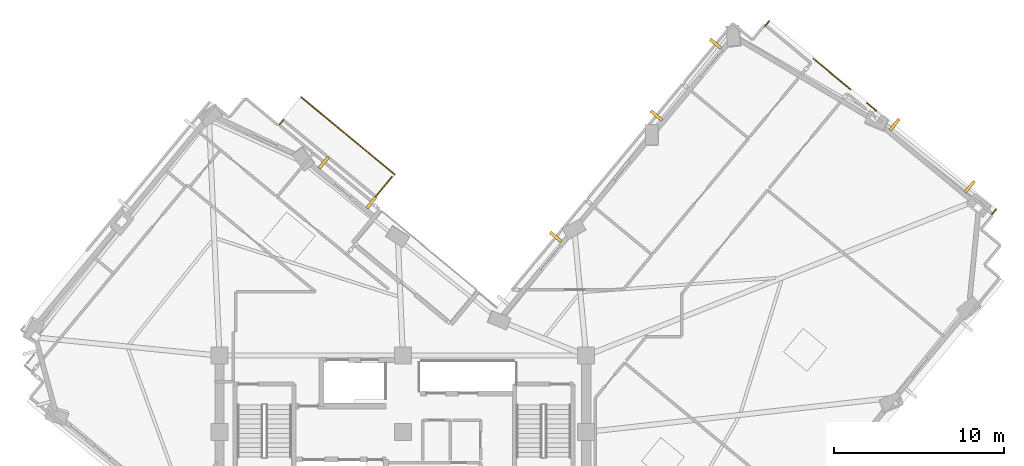
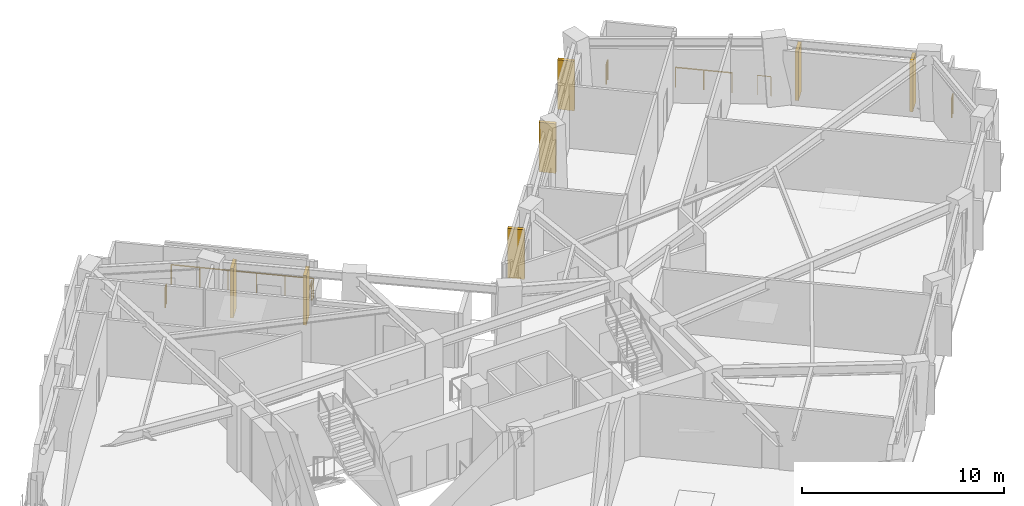
# One storey, part 10 of 10: 7 railings, 7 shading devices.
"""IFC4 building model written with IfcOpenShell, lengths in metres."""

from ifc_helpers import new_model, si_unit, direction, frame, origin, origin_2d, place, context, subcontext, project, spatial, rectangle, circle, extrude, material, layer, layer_set, type_object, element, save


model = new_model("IFC4")

# Units and contexts
model_context = context("Model", 3, precision=1e-05, world=origin(), true_north=direction((0.0, 1.0)))
body_context = subcontext(model_context, "Body", "Model", "MODEL_VIEW")
ifc_project = project(units=[si_unit("LENGTHUNIT", "METRE"), si_unit("AREAUNIT", "SQUARE_METRE"), si_unit("VOLUMEUNIT", "CUBIC_METRE"), si_unit("PLANEANGLEUNIT", "RADIAN"), si_unit("MASSUNIT", "GRAM", prefix="KILO")], contexts=[model_context])

# Site, building, storey
site_placement = place(None, origin())
site = spatial("IfcSite", under=ifc_project, at=site_placement, CompositionType="ELEMENT")
building_placement = place(site_placement, origin())
building = spatial("IfcBuilding", under=site, at=building_placement, Name="Gaonmaruhae Medical Tower", CompositionType="ELEMENT")
storey_placement = place(building_placement, frame((0.0, 0.0, 239.199951171875)))
storey = spatial("IfcBuildingStorey", under=building, at=storey_placement, Name="L57", CompositionType="ELEMENT", Elevation=239.199951171875)

# Railings
ifc_material_1 = material(Name="Stainless steel 316L and laminated safety glass", Category="steel")
ifc_layer = layer(ifc_material_1, 0.080078125)
ifc_layer_set = layer_set([ifc_layer], Name="Stainless steel 316L and laminated safety glass")
railing_type = type_object("IfcRailingType", Name="GD-120 Outdoor Terrace Safety Glass & Steel Balustrade", PredefinedType="BALUSTRADE", material=ifc_layer_set)
railing_1_placement = place(storey_placement, frame((46.13623046875, 36.212646484375, 0.0)))
element("IfcRailing", 1, at=railing_1_placement, inside=storey, type_object=railing_type, Name="L57 Perimeter Slab Edge Safety Balustrade 01", PredefinedType="BALUSTRADE", context=body_context, shape_type="SweptSolid", body=[
    extrude(circle(Radius=0.02392578125, at=origin_2d()), frame((0.0, 0.0, 1.17578125), z_axis=(0.638228194856, 0.769847238932, 0.0), x_axis=(-0.769847238932, 0.638228194856, 0.0)), (0.0, 0.0, 1.0), 0.393310546875),
    extrude(circle(Radius=0.02099609375, at=origin_2d()), origin(), (0.0, 0.0, 1.0), 1.15185546875),
    extrude(circle(Radius=0.02099609375, at=origin_2d()), frame((0.2509765625, 0.302734375, 0.0)), (0.0, 0.0, 1.0), 1.15185546875),
])
railing_2_placement = place(storey_placement, frame((48.98974609375, 34.2939453125, 0.0)))
element("IfcRailing", 2, at=railing_2_placement, inside=storey, type_object=railing_type, Name="L57 Perimeter Slab Edge Safety Balustrade 02", PredefinedType="BALUSTRADE", context=body_context, shape_type="SweptSolid", body=[
    extrude(circle(Radius=0.02392578125, at=origin_2d()), frame((0.0, 0.0, 1.17578125), z_axis=(0.769952740885, -0.638100914279, 0.0), x_axis=(0.638100914279, 0.769952740885, 0.0)), (0.0, 0.0, 1.0), 2.838623046875),
    extrude(circle(Radius=0.02099609375, at=origin_2d()), origin(), (0.0, 0.0, 1.0), 1.15185546875),
    extrude(circle(Radius=0.02099609375, at=origin_2d()), frame((1.0927734375, -0.90576171875, 0.0)), (0.0, 0.0, 1.0), 1.15185546875),
    extrude(circle(Radius=0.02099609375, at=origin_2d()), frame((2.185546875, -1.811279296875, 0.0)), (0.0, 0.0, 1.0), 1.15185546875),
])
railing_3_placement = place(storey_placement, frame((52.152099609375, 31.673095703125, 0.0)))
element("IfcRailing", 3, at=railing_3_placement, inside=storey, type_object=railing_type, Name="L57 Perimeter Slab Edge Safety Balustrade 03", PredefinedType="BALUSTRADE", context=body_context, shape_type="SweptSolid", body=[
    extrude(circle(Radius=0.02392578125, at=origin_2d()), frame((0.0, 0.0, 1.17578125), z_axis=(0.770001855249, -0.638041646692, 0.0), x_axis=(0.638041646692, 0.770001855249, 0.0)), (0.0, 0.0, 1.0), 0.695556640625),
    extrude(circle(Radius=0.02099609375, at=origin_2d()), origin(), (0.0, 0.0, 1.0), 1.15185546875),
    extrude(circle(Radius=0.02099609375, at=origin_2d()), frame((0.53564453125, -0.44384765625, 0.0)), (0.0, 0.0, 1.0), 1.15185546875),
])
railing_4_placement = place(storey_placement, frame((59.753662109375, 25.438232421875, 0.0)))
element("IfcRailing", 4, at=railing_4_placement, inside=storey, type_object=railing_type, Name="L57 Perimeter Slab Edge Safety Balustrade 04", PredefinedType="BALUSTRADE", context=body_context, shape_type="SweptSolid", body=[
    extrude(circle(Radius=0.02392578125, at=origin_2d()), frame((0.0, 0.0, 1.17578125), z_axis=(-0.638228194856, -0.769847238932, 0.0), x_axis=(0.769847238932, -0.638228194856, 0.0)), (0.0, 0.0, 1.0), 0.393310546875),
    extrude(circle(Radius=0.02099609375, at=origin_2d()), origin(), (0.0, 0.0, 1.0), 1.15185546875),
    extrude(circle(Radius=0.02099609375, at=origin_2d()), frame((-0.2509765625, -0.302734375, 0.0)), (0.0, 0.0, 1.0), 1.15185546875),
])
railing_5_placement = place(storey_placement, frame((17.5498046875, 30.424560546875, 0.0)))
element("IfcRailing", 5, at=railing_5_placement, inside=storey, type_object=railing_type, Name="L57 Perimeter Slab Edge Safety Balustrade 08", PredefinedType="BALUSTRADE", context=body_context, shape_type="SweptSolid", body=[
    extrude(circle(Radius=0.02392578125, at=origin_2d()), frame((0.0, 0.0, 1.17578125), z_axis=(0.638432309366, 0.769677975752, 0.0), x_axis=(-0.769677975752, 0.638432309366, 0.0)), (0.0, 0.0, 1.0), 0.329345703125),
    extrude(circle(Radius=0.02099609375, at=origin_2d()), origin(), (0.0, 0.0, 1.0), 1.15185546875),
    extrude(circle(Radius=0.02099609375, at=origin_2d()), frame((0.210205078125, 0.25341796875, 0.0)), (0.0, 0.0, 1.0), 1.15185546875),
])
railing_6_placement = place(storey_placement, frame((18.8134765625, 32.02783203125, 0.0)))
element("IfcRailing", 6, at=railing_6_placement, inside=storey, type_object=railing_type, Name="L57 Perimeter Slab Edge Safety Balustrade 09", PredefinedType="BALUSTRADE", context=body_context, shape_type="SweptSolid", body=[
    extrude(circle(Radius=0.02392578125, at=origin_2d()), frame((0.0, 0.0, 1.17578125), z_axis=(0.769970823824, -0.638079094204, 0.0), x_axis=(0.638079094204, 0.769970823824, 0.0)), (0.0, 0.0, 1.0), 7.159912109375),
    extrude(circle(Radius=0.02099609375, at=origin_2d()), origin(), (0.0, 0.0, 1.0), 1.15185546875),
    extrude(circle(Radius=0.02099609375, at=origin_2d()), frame((1.1025390625, -0.913818359375, 0.0)), (0.0, 0.0, 1.0), 1.15185546875),
    extrude(circle(Radius=0.02099609375, at=origin_2d()), frame((2.205078125, -1.827392578125, 0.0)), (0.0, 0.0, 1.0), 1.15185546875),
    extrude(circle(Radius=0.02099609375, at=origin_2d()), frame((3.307861328125, -2.7412109375, 0.0)), (0.0, 0.0, 1.0), 1.15185546875),
    extrude(circle(Radius=0.02099609375, at=origin_2d()), frame((4.410400390625, -3.65478515625, 0.0)), (0.0, 0.0, 1.0), 1.15185546875),
    extrude(circle(Radius=0.02099609375, at=origin_2d()), frame((5.512939453125, -4.568603515625, 0.0)), (0.0, 0.0, 1.0), 1.15185546875),
])
railing_7_placement = place(storey_placement, frame((24.167724609375, 27.345947265625, 0.0)))
element("IfcRailing", 7, at=railing_7_placement, inside=storey, type_object=railing_type, Name="L57 Perimeter Slab Edge Safety Balustrade 10", PredefinedType="BALUSTRADE", context=body_context, shape_type="SweptSolid", body=[
    extrude(circle(Radius=0.02392578125, at=origin_2d()), frame((0.0, 0.0, 1.17578125), z_axis=(-0.638151727711, -0.769910626255, 0.0), x_axis=(0.769910626255, -0.638151727711, 0.0)), (0.0, 0.0, 1.0), 1.513916015625),
    extrude(circle(Radius=0.02099609375, at=origin_2d()), origin(), (0.0, 0.0, 1.0), 1.15185546875),
    extrude(circle(Radius=0.02099609375, at=origin_2d()), frame((-0.966064453125, -1.16552734375, 0.0)), (0.0, 0.0, 1.0), 1.15185546875),
])

# Shading devices
ifc_material_2 = material(Name="Pigmented coral precast concrete C45/55", Category="concrete")
shading_device_type = type_object("IfcShadingDeviceType", Name="SD-FIN1 Tower Vertical Coral Precast Shading Fin", PredefinedType="USERDEFINED", material=ifc_material_2)
for number, where, z_axis, x_axis, name in (
    (8, (53.771728515625, 30.415283203125, 0.132568359375), (0.0, 0.0, 1.0), (0.769956692089, -0.638096146601, 0.0), "L57 Vertical Coral Precast Shading Fin E01"),
    (9, (58.1962890625, 26.74853515625, 0.132568359375), (0.0, 0.0, 1.0), (0.769956692089, -0.638096146601, 0.0), "L57 Vertical Coral Precast Shading Fin E01B"),
    (10, (39.7412109375, 30.948974609375, 0.132568359375), (0.0, 0.0, 1.0), (0.638109584783, 0.769945555093, 0.0), "L57 Vertical Coral Precast Shading Fin E03"),
    (11, (43.238037109375, 35.168212890625, 0.132568359375), (0.0, 0.0, 1.0), (0.638109584783, 0.769945555093, 0.0), "L57 Vertical Coral Precast Shading Fin E03B"),
    (12, (33.813720703125, 23.79638671875, 0.132568359375), (0.0, 0.0, 1.0), (0.638096146601, 0.769956692089, 0.0), "L57 Vertical Coral Precast Shading Fin EN02B"),
    (13, (20.13330078125, 28.1611328125, 0.12255859375), (0.0, 0.0, 1.0), (0.769956692089, -0.638096146601, 0.0), "L57 Vertical Coral Precast Shading Fin NE01"),
    (14, (22.956298828125, 25.82177734375, 0.12255859375), (0.0, 0.0, 1.0), (0.769956692089, -0.638096146601, 0.0), "L57 Vertical Coral Precast Shading Fin NE01B"),
):
    element("IfcShadingDevice", number, at=place(storey_placement, frame(where, z_axis=z_axis, x_axis=x_axis)), inside=storey, type_object=shading_device_type, Name=name, ObjectType="FIN", PredefinedType="USERDEFINED", context=body_context, shape_type="SweptSolid", body=[
        extrude(rectangle(XDim=0.179931640625, YDim=0.85009765625, at=origin_2d()), origin(), (0.0, 0.0, 1.0), 3.0),
    ])

save(model, "model.ifc")
